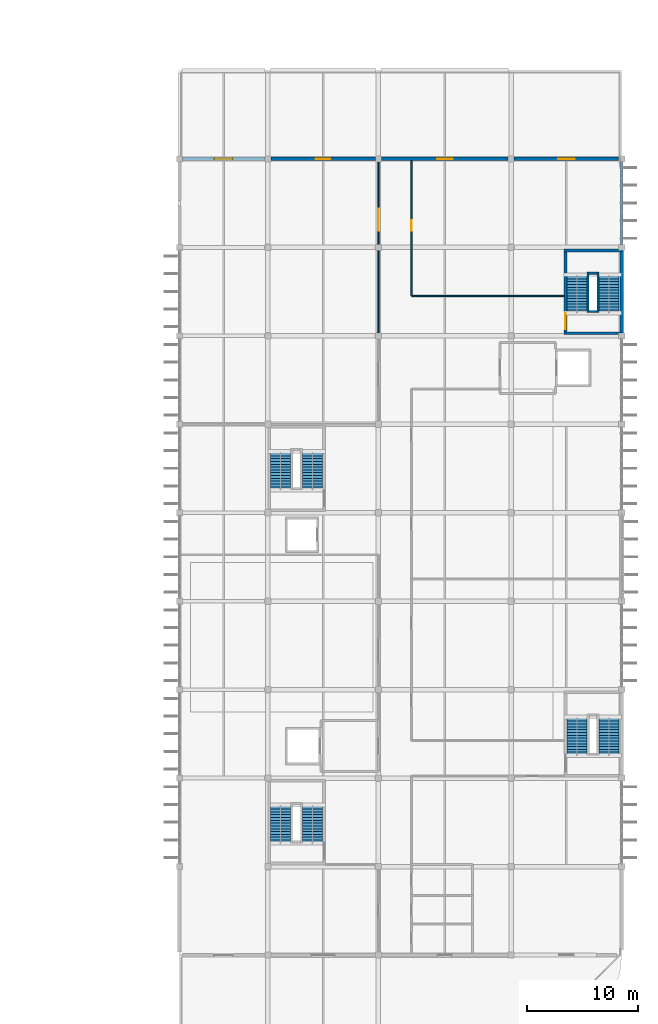
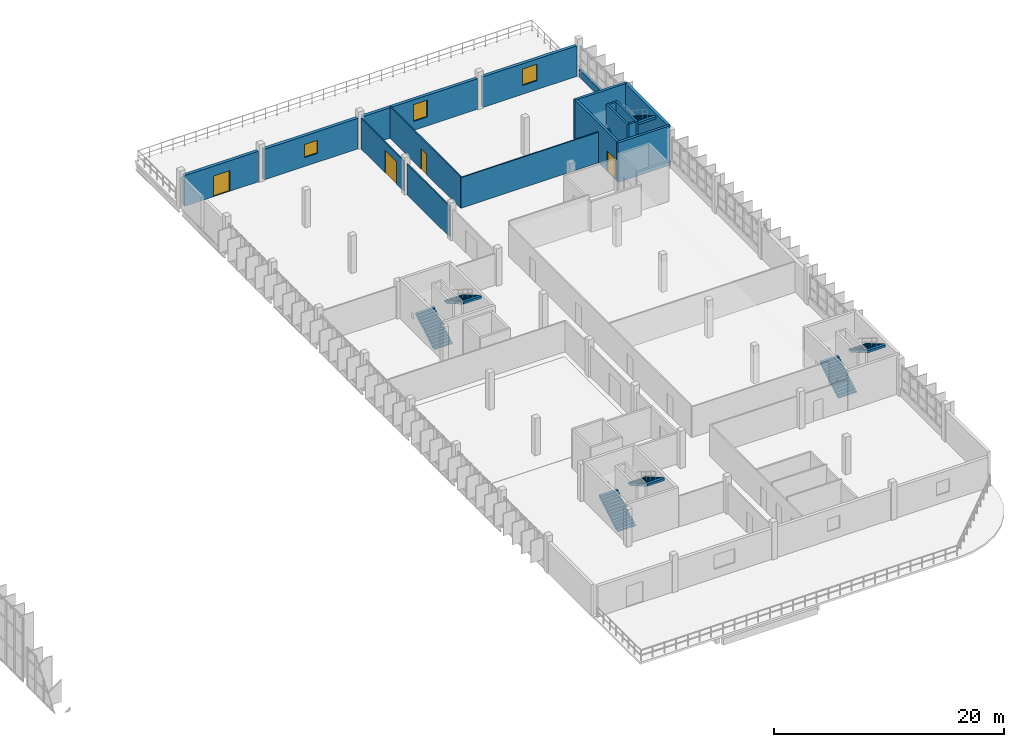
# One storey, part 29 of 38: 17 walls, 8 stair flights, 4 doors, 3 windows, 7 openings, 4 elements without a shape of their own.
"""IFC4 building model written with IfcOpenShell, lengths in metres."""

from ifc_helpers import new_model, si_unit, direction, frame, frame_2d, origin, place, context, subcontext, project, spatial, polyline, rectangle, outline, extrude, material, layer, layer_set, type_object, element, fill, aggregate, save


model = new_model("IFC4")

# Units and contexts
model_context = context("Model", 3, precision=1e-05, world=origin(), true_north=direction((0.0, 1.0)))
body_context = subcontext(model_context, "Body", "Model", "MODEL_VIEW")
ifc_project = project(units=[si_unit("LENGTHUNIT", "METRE"), si_unit("AREAUNIT", "SQUARE_METRE"), si_unit("VOLUMEUNIT", "CUBIC_METRE"), si_unit("PLANEANGLEUNIT", "RADIAN"), si_unit("MASSUNIT", "GRAM", prefix="KILO")], contexts=[model_context])

# Site, building, storey
site_placement = place(None, origin())
site = spatial("IfcSite", under=ifc_project, at=site_placement, CompositionType="ELEMENT")
building_placement = place(site_placement, origin())
building = spatial("IfcBuilding", under=site, at=building_placement, Name="Drelvana Railside Aquatics Centre", CompositionType="ELEMENT")
storey_placement = place(building_placement, frame((0.0, 0.0, 14.39990234375)))
storey = spatial("IfcBuildingStorey", under=building, at=storey_placement, Name="L03", CompositionType="ELEMENT", Elevation=14.39990234375)

# Walls
ifc_material_1 = material(Name="Concrete C40/50", Category="concrete")
ifc_layer_1 = layer(ifc_material_1, 0.25, Name="Concrete C40/50")
ifc_layer_set_1 = layer_set([ifc_layer_1], Name="Concrete C40/50")
wall_type_1 = type_object("IfcWallType", Name="WL-CORE-250", PredefinedType="SHEAR", material=ifc_layer_set_1)
for number, where, z_axis, x_axis, name in (
    (1, (178.800048828125, 72.22509765625, 0.0), (0.0, 0.0, 1.0), (1.0, 0.0, 0.0), "Core 7 Federation Wing Avenue-East S core wall (L03)"),
    (2, (178.800048828125, 79.715087890625, 0.0), (0.0, 0.0, 1.0), (1.0, 0.0, 0.0), "Core 7 Federation Wing Avenue-East N core wall (L03)"),
):
    element("IfcWall", number, at=place(storey_placement, frame(where, z_axis=z_axis, x_axis=x_axis)), inside=storey, type_object=wall_type_1, Name=name, PredefinedType="SHEAR", context=body_context, shape_type="SweptSolid", body=[
        extrude(rectangle(XDim=5.199951171875, YDim=0.25, at=frame_2d((2.60009765625, 0.0))), origin(), (0.0, 0.0, 1.0), 4.2001953125),
    ])

# Wall, opening, door
wall_1_placement = place(storey_placement, frame((178.925048828125, 72.35009765625, 0.0), z_axis=(0.0, 0.0, 1.0), x_axis=(0.0, 1.0, 0.0)))
wall_1 = element("IfcWall", 3, at=wall_1_placement, inside=storey, type_object=wall_type_1, Name="Core 7 Federation Wing Avenue-East W core wall (L03)", PredefinedType="SHEAR", context=body_context, shape_type="SweptSolid", body=[
    extrude(rectangle(XDim=7.239990234375, YDim=0.25, at=frame_2d((3.6201171875, 0.0))), origin(), (0.0, 0.0, 1.0), 4.2001953125),
])
opening_1_placement = place(wall_1_placement, frame((0.25, 0.0, 0.0)))
opening_1 = element("IfcOpeningElement", 4, at=opening_1_placement, cuts=wall_1, Name="Opening D-01-057", PredefinedType="OPENING", context=body_context, shape_type="SweptSolid", body=[
    extrude(rectangle(XDim=1.449951171875, YDim=2.199951171875, at=frame_2d((0.72509765625, 1.10009765625))), frame((0.0, 0.135009765625, 0.0), z_axis=(0.0, -1.0, 0.0), x_axis=(1.0, 0.0, 0.0)), (0.0, 0.0, 1.0), 0.27001953125),
])
ifc_material_2 = material(Name="Fire-rated steel and vision-panel door", Category="steel")
door_type_1 = type_object("IfcDoorType", Name="DR-INT-STAIR-1450x2200", OperationType="DOUBLE_DOOR_SINGLE_SWING", PredefinedType="DOOR", material=ifc_material_2)
door_1_placement = place(opening_1_placement, origin())
door_1 = element("IfcDoor", 5, at=door_1_placement, inside=storey, type_object=door_type_1, Name="Stair ST-07 lobby door D-01-057", OperationType="DOUBLE_DOOR_SINGLE_SWING", OverallHeight=2.199951171875, OverallWidth=1.449951171875, PredefinedType="DOOR", context=body_context, shape_type="SweptSolid", body=[
    extrude(rectangle(XDim=1.449951171875, YDim=2.199951171875, at=frame_2d((0.72509765625, 1.10009765625))), frame((0.0, 0.02490234375, 0.0), z_axis=(0.0, -1.0, 0.0), x_axis=(1.0, 0.0, 0.0)), (0.0, 0.0, 1.0), 0.050048828125),
])
fill(opening_1, door_1)

# Walls
ifc_layer_2 = layer(ifc_material_1, 0.300048828125, Name="Concrete C40/50")
ifc_layer_set_2 = layer_set([ifc_layer_2], Name="Concrete C40/50")
wall_type_2 = type_object("IfcWallType", Name="WL-CORE-300", PredefinedType="SHEAR", material=ifc_layer_set_2)
wall_2_placement = place(storey_placement, frame((184.0, 72.27099609375, 0.0), z_axis=(0.0, 0.0, 1.0), x_axis=(0.0, 1.0, 0.0)))
element("IfcWall", 6, at=wall_2_placement, inside=storey, type_object=wall_type_2, Name="Core east avenue shear wall 72 (L03)", PredefinedType="SHEAR", context=body_context, shape_type="SweptSolid", body=[
    extrude(rectangle(XDim=7.4580078125, YDim=0.300048828125, at=frame_2d((3.72900390625, 0.0))), origin(), (0.0, 0.0, 1.0), 4.2001953125),
])
ifc_material_3 = material(Name="Acoustic twin-stud gypsum partition", Category="gypsum")
ifc_layer_3 = layer(ifc_material_3, 0.1201171875, Name="Acoustic twin-stud gypsum partition")
ifc_layer_set_3 = layer_set([ifc_layer_3], Name="Acoustic twin-stud gypsum partition")
wall_type_3 = type_object("IfcWallType", Name="WL-DRY-120", PredefinedType="PARTITIONING", material=ifc_layer_set_3)
wall_3_placement = place(storey_placement, frame((162.0, 72.277099609375, 0.0), z_axis=(0.0, 0.0, 1.0), x_axis=(0.0, 1.0, 0.0)))
element("IfcWall", 7, at=wall_3_placement, inside=storey, type_object=wall_type_3, Name="V5 L03 west corridor wall", PredefinedType="PARTITIONING", context=body_context, shape_type="SweptSolid", body=[
    extrude(rectangle(XDim=7.44580078125, YDim=0.1201171875, at=frame_2d((3.722900390625, 0.0))), origin(), (0.0, 0.0, 1.0), 3.255126953125),
])

# Wall, opening, door
wall_4_placement = place(storey_placement, frame((162.0, 80.277099609375, 0.0), z_axis=(0.0, 0.0, 1.0), x_axis=(0.0, 1.0, 0.0)))
wall_4 = element("IfcWall", 8, at=wall_4_placement, inside=storey, type_object=wall_type_3, Name="V5 L03 west corridor wall", PredefinedType="PARTITIONING", context=body_context, shape_type="SweptSolid", body=[
    extrude(rectangle(XDim=7.44580078125, YDim=0.1201171875, at=frame_2d((3.722900390625, 0.0))), origin(), (0.0, 0.0, 1.0), 3.255126953125),
])
opening_2_placement = place(wall_4_placement, frame((1.222900390625, 0.0, 0.0)))
opening_2 = element("IfcOpeningElement", 9, at=opening_2_placement, cuts=wall_4, Name="Opening D-06-241", PredefinedType="OPENING", context=body_context, shape_type="SweptSolid", body=[
    extrude(rectangle(XDim=2.0, YDim=2.39990234375, at=frame_2d((1.0, 1.199951171875))), frame((0.0, 0.070068359375, 0.0), z_axis=(0.0, -1.0, 0.0), x_axis=(1.0, 0.0, 0.0)), (0.0, 0.0, 1.0), 0.14013671875),
])
ifc_material_4 = material(Name="Glazed bronze-aluminium concourse door", Category="aluminium")
door_type_2 = type_object("IfcDoorType", Name="DR-INT-HALL-2000x2400", OperationType="DOUBLE_DOOR_SINGLE_SWING", PredefinedType="DOOR", material=ifc_material_4)
door_2_placement = place(opening_2_placement, origin())
door_2 = element("IfcDoor", 10, at=door_2_placement, inside=storey, type_object=door_type_2, Name="Regional aquatic club north door D-06-241", OperationType="DOUBLE_DOOR_SINGLE_SWING", OverallHeight=2.39990234375, OverallWidth=2.0, PredefinedType="DOOR", context=body_context, shape_type="SweptSolid", body=[
    extrude(rectangle(XDim=2.0, YDim=2.39990234375, at=frame_2d((1.0, 1.199951171875))), frame((0.0, 0.02490234375, 0.0), z_axis=(0.0, -1.0, 0.0), x_axis=(1.0, 0.0, 0.0)), (0.0, 0.0, 1.0), 0.050048828125),
])
fill(opening_2, door_2)

wall_5_placement = place(storey_placement, frame((165.0, 75.60009765625, 0.0), z_axis=(0.0, 0.0, 1.0), x_axis=(0.0, 1.0, 0.0)))
wall_5 = element("IfcWall", 11, at=wall_5_placement, inside=storey, type_object=wall_type_3, Name="V5 L03 east corridor wall", PredefinedType="PARTITIONING", context=body_context, shape_type="SweptSolid", body=[
    extrude(rectangle(XDim=12.25, YDim=0.1201171875, at=frame_2d((6.125, 0.0))), origin(), (0.0, 0.0, 1.0), 3.35498046875),
])
opening_3_placement = place(wall_5_placement, frame((5.89990234375, 0.0, 0.0)))
opening_3 = element("IfcOpeningElement", 12, at=opening_3_placement, cuts=wall_5, Name="Opening D-10-249", PredefinedType="OPENING", context=body_context, shape_type="SweptSolid", body=[
    extrude(rectangle(XDim=0.949951171875, YDim=2.14990234375, at=frame_2d((0.47509765625, 1.074951171875))), frame((0.0, 0.070068359375, 0.0), z_axis=(0.0, -1.0, 0.0), x_axis=(1.0, 0.0, 0.0)), (0.0, 0.0, 1.0), 0.14013671875),
])
ifc_material_5 = material(Name="Timber veneer office door", Category="wood")
door_type_3 = type_object("IfcDoorType", Name="DR-INT-OFF-950x2150", OperationType="NOTDEFINED", PredefinedType="DOOR", material=ifc_material_5)
door_3_placement = place(opening_3_placement, origin())
door_3 = element("IfcDoor", 13, at=door_3_placement, inside=storey, type_object=door_type_3, Name="Video analysis lab door D-10-249", OperationType="SINGLE_SWING_LEFT", OverallHeight=2.14990234375, OverallWidth=0.949951171875, PredefinedType="DOOR", context=body_context, shape_type="SweptSolid", body=[
    extrude(rectangle(XDim=0.949951171875, YDim=2.14990234375, at=frame_2d((0.47509765625, 1.074951171875))), frame((0.0, 0.02490234375, 0.0), z_axis=(0.0, -1.0, 0.0), x_axis=(1.0, 0.0, 0.0)), (0.0, 0.0, 1.0), 0.050048828125),
])
fill(opening_3, door_3)

# Walls
wall_6_placement = place(storey_placement, frame((165.0, 75.60009765625, 0.0), z_axis=(0.0, 0.0, 1.0), x_axis=(1.0, 0.0, 0.0)))
element("IfcWall", 14, at=wall_6_placement, inside=storey, type_object=wall_type_3, Name="L03 C7 branch N wall", PredefinedType="PARTITIONING", context=body_context, shape_type="SweptSolid", body=[
    extrude(rectangle(XDim=13.800048828125, YDim=0.1201171875, at=frame_2d((6.89990234375, 0.0))), origin(), (0.0, 0.0, 1.0), 3.255126953125),
])
ifc_material_6 = material(Name="Glazed ceramic spandrel wall", Category="masonry")
ifc_layer_4 = layer(ifc_material_6, 0.27001953125, Name="Glazed ceramic spandrel wall")
ifc_layer_set_4 = layer_set([ifc_layer_4], Name="Glazed ceramic spandrel wall")
wall_type_4 = type_object("IfcWallType", Name="WL-EXT-270", PredefinedType="STANDARD", material=ifc_layer_set_4)
wall_7_placement = place(storey_placement, frame((184.0, 80.27099609375, 0.0), z_axis=(0.0, 0.0, 1.0), x_axis=(0.0, 1.0, 0.0)))
element("IfcWall", 15, at=wall_7_placement, inside=storey, type_object=wall_type_4, Name="V5 East L03 sill spandrel", PredefinedType="STANDARD", context=body_context, shape_type="SweptSolid", body=[
    extrude(rectangle(XDim=7.4580078125, YDim=0.27001953125, at=frame_2d((3.72900390625, 0.0))), origin(), (0.0, 0.0, 1.0), 0.800048828125),
])

# Wall, opening, door
ifc_material_7 = material(Name="Terracotta rainscreen masonry wall", Category="masonry")
ifc_layer_5 = layer(ifc_material_7, 0.31005859375, Name="Terracotta rainscreen masonry wall")
ifc_layer_set_5 = layer_set([ifc_layer_5], Name="Terracotta rainscreen masonry wall")
wall_type_5 = type_object("IfcWallType", Name="WL-EXT-310", PredefinedType="STANDARD", material=ifc_layer_set_5)
wall_8_placement = place(storey_placement, frame((144.27099609375, 88.0, 0.0), z_axis=(0.0, 0.0, 1.0), x_axis=(1.0, 0.0, 0.0)))
wall_8 = element("IfcWall", 16, at=wall_8_placement, inside=storey, type_object=wall_type_5, Name="V5 L03 end bay wall", PredefinedType="STANDARD", context=body_context, shape_type="SweptSolid", body=[
    extrude(rectangle(XDim=7.4580078125, YDim=0.31005859375, at=frame_2d((3.72900390625, 0.0))), origin(), (0.0, 0.0, 1.0), 3.25),
])
opening_4_placement = place(wall_8_placement, frame((2.904052734375, 0.0, 0.0)))
opening_4 = element("IfcOpeningElement", 17, at=opening_4_placement, cuts=wall_8, Name="Opening EX-06-029", PredefinedType="OPENING", context=body_context, shape_type="SweptSolid", body=[
    extrude(rectangle(XDim=1.64990234375, YDim=2.199951171875, at=frame_2d((0.824951171875, 1.10009765625))), frame((0.0, 0.1650390625, 0.0), z_axis=(0.0, -1.0, 0.0), x_axis=(1.0, 0.0, 0.0)), (0.0, 0.0, 1.0), 0.330078125),
])
ifc_material_8 = material(Name="Thermally broken bronze-anodised aluminium and glazed door", Category="aluminium")
door_type_4 = type_object("IfcDoorType", Name="DR-EXT-TER-1650x2200", OperationType="DOUBLE_DOOR_SINGLE_SWING", PredefinedType="DOOR", material=ifc_material_8)
door_4_placement = place(opening_4_placement, origin())
door_4 = element("IfcDoor", 18, at=door_4_placement, inside=storey, type_object=door_type_4, Name="L03 outdoor terrace door EX-06-029", OperationType="DOUBLE_DOOR_SINGLE_SWING", OverallHeight=2.199951171875, OverallWidth=1.64990234375, PredefinedType="DOOR", context=body_context, shape_type="SweptSolid", body=[
    extrude(rectangle(XDim=1.64990234375, YDim=2.199951171875, at=frame_2d((0.824951171875, 1.10009765625))), frame((0.0, 0.02490234375, 0.0), z_axis=(0.0, -1.0, 0.0), x_axis=(1.0, 0.0, 0.0)), (0.0, 0.0, 1.0), 0.050048828125),
])
fill(opening_4, door_4)

# Wall, opening, window
wall_9_placement = place(storey_placement, frame((152.27099609375, 88.0, 0.0), z_axis=(0.0, 0.0, 1.0), x_axis=(1.0, 0.0, 0.0)))
wall_9 = element("IfcWall", 19, at=wall_9_placement, inside=storey, type_object=wall_type_5, Name="V5 L03 end bay wall", PredefinedType="STANDARD", context=body_context, shape_type="SweptSolid", body=[
    extrude(rectangle(XDim=9.4580078125, YDim=0.31005859375, at=frame_2d((4.72900390625, 0.0))), origin(), (0.0, 0.0, 1.0), 3.25),
])
opening_5_placement = place(wall_9_placement, frame((4.0791015625, 0.0, 0.949951171875)))
opening_5 = element("IfcOpeningElement", 20, at=opening_5_placement, cuts=wall_9, Name="Opening W-13", PredefinedType="OPENING", context=body_context, shape_type="SweptSolid", body=[
    extrude(rectangle(XDim=1.300048828125, YDim=1.39990234375, at=frame_2d((0.64990234375, 0.699951171875))), frame((0.0, 0.1650390625, 0.0), z_axis=(0.0, -1.0, 0.0), x_axis=(1.0, 0.0, 0.0)), (0.0, 0.0, 1.0), 0.330078125),
])
ifc_material_9 = material(Name="Double-glazed solar-control aluminium window", Category="aluminium")
window_type_1 = type_object("IfcWindowType", Name="WIN-13", PartitioningType="SINGLE_PANEL", PredefinedType="WINDOW", material=ifc_material_9)
window_1_placement = place(opening_5_placement, origin())
window_1 = element("IfcWindow", 21, at=window_1_placement, inside=storey, type_object=window_type_1, Name="V5 L03 end window WIN-13", OverallHeight=1.39990234375, OverallWidth=1.300048828125, PartitioningType="SINGLE_PANEL", PredefinedType="WINDOW", context=body_context, shape_type="SweptSolid", body=[
    extrude(rectangle(XDim=1.300048828125, YDim=1.39990234375, at=frame_2d((0.64990234375, 0.699951171875))), frame((0.0, 0.030029296875, 0.0), z_axis=(0.0, -1.0, 0.0), x_axis=(1.0, 0.0, 0.0)), (0.0, 0.0, 1.0), 0.06005859375),
])
fill(opening_5, window_1)

wall_10_placement = place(storey_placement, frame((162.27099609375, 88.0, 0.0), z_axis=(0.0, 0.0, 1.0), x_axis=(1.0, 0.0, 0.0)))
wall_10 = element("IfcWall", 22, at=wall_10_placement, inside=storey, type_object=wall_type_5, Name="V5 L03 end bay wall", PredefinedType="STANDARD", context=body_context, shape_type="SweptSolid", body=[
    extrude(rectangle(XDim=11.4580078125, YDim=0.31005859375, at=frame_2d((5.72900390625, 0.0))), origin(), (0.0, 0.0, 1.0), 3.25),
])
opening_6_placement = place(wall_10_placement, frame((5.029052734375, 0.0, 0.949951171875)))
opening_6 = element("IfcOpeningElement", 23, at=opening_6_placement, cuts=wall_10, Name="Opening W-15", PredefinedType="OPENING", context=body_context, shape_type="SweptSolid", body=[
    extrude(rectangle(XDim=1.39990234375, YDim=1.800048828125, at=frame_2d((0.699951171875, 0.89990234375))), frame((0.0, 0.1650390625, 0.0), z_axis=(0.0, -1.0, 0.0), x_axis=(1.0, 0.0, 0.0)), (0.0, 0.0, 1.0), 0.330078125),
])
window_type_2 = type_object("IfcWindowType", Name="WIN-15", PartitioningType="SINGLE_PANEL", PredefinedType="WINDOW", material=ifc_material_9)
window_2_placement = place(opening_6_placement, origin())
window_2 = element("IfcWindow", 24, at=window_2_placement, inside=storey, type_object=window_type_2, Name="V5 L03 end window WIN-15", OverallHeight=1.800048828125, OverallWidth=1.39990234375, PartitioningType="SINGLE_PANEL", PredefinedType="WINDOW", context=body_context, shape_type="SweptSolid", body=[
    extrude(rectangle(XDim=1.39990234375, YDim=1.800048828125, at=frame_2d((0.699951171875, 0.89990234375))), frame((0.0, 0.030029296875, 0.0), z_axis=(0.0, -1.0, 0.0), x_axis=(1.0, 0.0, 0.0)), (0.0, 0.0, 1.0), 0.06005859375),
])
fill(opening_6, window_2)

wall_11_placement = place(storey_placement, frame((174.27099609375, 88.0, 0.0), z_axis=(0.0, 0.0, 1.0), x_axis=(1.0, 0.0, 0.0)))
wall_11 = element("IfcWall", 25, at=wall_11_placement, inside=storey, type_object=wall_type_5, Name="V5 L03 end bay wall", PredefinedType="STANDARD", context=body_context, shape_type="SweptSolid", body=[
    extrude(rectangle(XDim=9.4580078125, YDim=0.31005859375, at=frame_2d((4.72900390625, 0.0))), origin(), (0.0, 0.0, 1.0), 3.25),
])
opening_7_placement = place(wall_11_placement, frame((3.97900390625, 0.0, 0.949951171875)))
opening_7 = element("IfcOpeningElement", 26, at=opening_7_placement, cuts=wall_11, Name="Opening W-17", PredefinedType="OPENING", context=body_context, shape_type="SweptSolid", body=[
    extrude(rectangle(XDim=1.5, YDim=1.75, at=frame_2d((0.75, 0.875))), frame((0.0, 0.1650390625, 0.0), z_axis=(0.0, -1.0, 0.0), x_axis=(1.0, 0.0, 0.0)), (0.0, 0.0, 1.0), 0.330078125),
])
window_type_3 = type_object("IfcWindowType", Name="WIN-17", PartitioningType="SINGLE_PANEL", PredefinedType="WINDOW", material=ifc_material_9)
window_3_placement = place(opening_7_placement, origin())
window_3 = element("IfcWindow", 27, at=window_3_placement, inside=storey, type_object=window_type_3, Name="V5 L03 end window WIN-17", OverallHeight=1.75, OverallWidth=1.5, PartitioningType="SINGLE_PANEL", PredefinedType="WINDOW", context=body_context, shape_type="SweptSolid", body=[
    extrude(rectangle(XDim=1.5, YDim=1.75, at=frame_2d((0.75, 0.875))), frame((0.0, 0.030029296875, 0.0), z_axis=(0.0, -1.0, 0.0), x_axis=(1.0, 0.0, 0.0)), (0.0, 0.0, 1.0), 0.06005859375),
])
fill(opening_7, window_3)

# Walls
ifc_layer_6 = layer(ifc_material_1, 0.199951171875, Name="Concrete C40/50")
ifc_layer_set_6 = layer_set([ifc_layer_6], Name="Concrete C40/50")
wall_type_6 = type_object("IfcWallType", Name="WL-SHFT-200", PredefinedType="SHEAR", material=ifc_layer_set_6)
for number, where, z_axis, x_axis, name in (
    (28, (180.949951171875, 74.090087890625, 0.0), (0.0, 0.0, 1.0), (0.0, 1.0, 0.0), "Stair ST-07 central spine wall A (L03)"),
    (29, (181.85009765625, 74.090087890625, 0.0), (0.0, 0.0, 1.0), (0.0, 1.0, 0.0), "Stair ST-07 central spine wall B (L03)"),
):
    element("IfcWall", number, at=place(storey_placement, frame(where, z_axis=z_axis, x_axis=x_axis)), inside=storey, type_object=wall_type_6, Name=name, PredefinedType="SHEAR", context=body_context, shape_type="SweptSolid", body=[
        extrude(rectangle(XDim=3.659912109375, YDim=0.199951171875, at=frame_2d((1.830078125, 0.0))), origin(), (0.0, 0.0, 1.0), 4.2001953125),
    ])
for number, where, z_axis, x_axis, name in (
    (30, (181.050048828125, 74.18994140625, 0.0), (0.0, 0.0, 1.0), (1.0, 0.0, 0.0), "Stair ST-07 central spine wall S (L03)"),
    (31, (181.050048828125, 77.64990234375, 0.0), (0.0, 0.0, 1.0), (1.0, 0.0, 0.0), "Stair ST-07 central spine wall N (L03)"),
):
    element("IfcWall", number, at=place(storey_placement, frame(where, z_axis=z_axis, x_axis=x_axis)), inside=storey, type_object=wall_type_6, Name=name, PredefinedType="SHEAR", context=body_context, shape_type="SweptSolid", body=[
        extrude(rectangle(XDim=0.699951171875, YDim=0.199951171875, at=frame_2d((0.35009765625, 0.0))), origin(), (0.0, 0.0, 1.0), 4.2001953125),
    ])

# Stair, stair flights
stair_type_1 = type_object("IfcStairType", Name="ST-CORE-W160", PredefinedType="HALF_TURN_STAIR", material=ifc_material_1)
stair_1_placement = place(storey_placement, origin())
stair_1 = element("IfcStair", 32, at=stair_1_placement, inside=storey, type_object=stair_type_1, Name="Exit stair ST-06 (L03 to L04)", PredefinedType="HALF_TURN_STAIR")
stair_flight_type_1 = type_object("IfcStairFlightType", Name="ST-CORE-W160-FL", PredefinedType="STRAIGHT", material=ifc_material_1)
stair_flight_1_placement = place(storey_placement, frame((153.14990234375, 26.14990234375, 0.0), z_axis=(0.0, 0.0, 1.0), x_axis=(0.0, 1.0, 0.0)))
stair_flight_1 = element("IfcStairFlight", 33, at=stair_flight_1_placement, type_object=stair_flight_type_1, Name="ST-NR flight 1", NumberOfRisers=14, NumberOfTreads=13, PredefinedType="STRAIGHT", RiserHeight=0.15, TreadLength=0.255, context=body_context, shape_type="SweptSolid", body=[
    extrude(outline(polyline([(0.0, 0.0), (0.0, 0.14990234375), (0.2548828125, 0.14990234375), (0.2548828125, 0.300048828125), (0.510009765625, 0.300048828125), (0.510009765625, 0.449951171875), (0.764892578125, 0.449951171875), (0.764892578125, 0.60009765625), (1.02001953125, 0.60009765625), (1.02001953125, 0.75), (1.27490234375, 0.75), (1.27490234375, 0.89990234375), (1.530029296875, 0.89990234375), (1.530029296875, 1.050048828125), (1.784912109375, 1.050048828125), (1.784912109375, 1.199951171875), (2.0400390625, 1.199951171875), (2.0400390625, 1.35009765625), (2.294921875, 1.35009765625), (2.294921875, 1.5), (2.550048828125, 1.5), (2.550048828125, 1.64990234375), (2.804931640625, 1.64990234375), (2.804931640625, 1.800048828125), (3.06005859375, 1.800048828125), (3.06005859375, 1.949951171875), (3.31494140625, 1.949951171875), (3.31494140625, 2.10009765625), (3.31494140625, 1.718017578125), (0.394287109375, 0.0), (0.0, 0.0)])), frame((0.0, 0.89990234375, 0.0), z_axis=(0.0, -1.0, 0.0), x_axis=(1.0, 0.0, 0.0)), (0.0, 0.0, 1.0), 1.800048828125),
])
stair_flight_2_placement = place(storey_placement, frame((156.050048828125, 29.465087890625, 2.10009765625), z_axis=(0.0, 0.0, 1.0), x_axis=(0.0, -1.0, 0.0)))
stair_flight_2 = element("IfcStairFlight", 34, at=stair_flight_2_placement, type_object=stair_flight_type_1, Name="ST-NR flight 2", NumberOfRisers=14, NumberOfTreads=13, PredefinedType="STRAIGHT", RiserHeight=0.15, TreadLength=0.255, context=body_context, shape_type="SweptSolid", body=[
    extrude(outline(polyline([(0.0, 0.0), (0.0, 0.14990234375), (0.2548828125, 0.14990234375), (0.2548828125, 0.300048828125), (0.510009765625, 0.300048828125), (0.510009765625, 0.449951171875), (0.764892578125, 0.449951171875), (0.764892578125, 0.60009765625), (1.02001953125, 0.60009765625), (1.02001953125, 0.75), (1.27490234375, 0.75), (1.27490234375, 0.89990234375), (1.530029296875, 0.89990234375), (1.530029296875, 1.050048828125), (1.784912109375, 1.050048828125), (1.784912109375, 1.199951171875), (2.0400390625, 1.199951171875), (2.0400390625, 1.35009765625), (2.294921875, 1.35009765625), (2.294921875, 1.5), (2.550048828125, 1.5), (2.550048828125, 1.64990234375), (2.804931640625, 1.64990234375), (2.804931640625, 1.800048828125), (3.06005859375, 1.800048828125), (3.06005859375, 1.949951171875), (3.31494140625, 1.949951171875), (3.31494140625, 2.10009765625), (3.31494140625, 1.718017578125), (0.394287109375, 0.0), (0.0, 0.0)])), frame((0.0, 0.89990234375, 0.0), z_axis=(0.0, -1.0, 0.0), x_axis=(1.0, 0.0, 0.0)), (0.0, 0.0, 1.0), 1.800048828125),
])
aggregate(stair_1, [stair_flight_1, stair_flight_2])

stair_2_placement = place(storey_placement, origin())
stair_2 = element("IfcStair", 35, at=stair_2_placement, inside=storey, type_object=stair_type_1, Name="Exit stair ST-07 (L03 to L04)", PredefinedType="HALF_TURN_STAIR")
stair_flight_3_placement = place(storey_placement, frame((179.949951171875, 74.090087890625, 0.0), z_axis=(0.0, 0.0, 1.0), x_axis=(0.0, 1.0, 0.0)))
stair_flight_3 = element("IfcStairFlight", 36, at=stair_flight_3_placement, type_object=stair_flight_type_1, Name="ST-NR flight 1", NumberOfRisers=14, NumberOfTreads=13, PredefinedType="STRAIGHT", RiserHeight=0.15, TreadLength=0.255, context=body_context, shape_type="SweptSolid", body=[
    extrude(outline(polyline([(0.0, 0.0), (0.0, 0.14990234375), (0.2548828125, 0.14990234375), (0.2548828125, 0.300048828125), (0.510009765625, 0.300048828125), (0.510009765625, 0.449951171875), (0.764892578125, 0.449951171875), (0.764892578125, 0.60009765625), (1.02001953125, 0.60009765625), (1.02001953125, 0.75), (1.27490234375, 0.75), (1.27490234375, 0.89990234375), (1.530029296875, 0.89990234375), (1.530029296875, 1.050048828125), (1.784912109375, 1.050048828125), (1.784912109375, 1.199951171875), (2.0400390625, 1.199951171875), (2.0400390625, 1.35009765625), (2.294921875, 1.35009765625), (2.294921875, 1.5), (2.550048828125, 1.5), (2.550048828125, 1.64990234375), (2.804931640625, 1.64990234375), (2.804931640625, 1.800048828125), (3.06005859375, 1.800048828125), (3.06005859375, 1.949951171875), (3.31494140625, 1.949951171875), (3.31494140625, 2.10009765625), (3.31494140625, 1.718017578125), (0.394287109375, 0.0), (0.0, 0.0)])), frame((0.0, 0.89990234375, 0.0), z_axis=(0.0, -1.0, 0.0), x_axis=(1.0, 0.0, 0.0)), (0.0, 0.0, 1.0), 1.800048828125),
])
stair_flight_4_placement = place(storey_placement, frame((182.85009765625, 77.405029296875, 2.10009765625), z_axis=(0.0, 0.0, 1.0), x_axis=(0.0, -1.0, 0.0)))
stair_flight_4 = element("IfcStairFlight", 37, at=stair_flight_4_placement, type_object=stair_flight_type_1, Name="ST-NR flight 2", NumberOfRisers=14, NumberOfTreads=13, PredefinedType="STRAIGHT", RiserHeight=0.15, TreadLength=0.255, context=body_context, shape_type="SweptSolid", body=[
    extrude(outline(polyline([(0.0, 0.0), (0.0, 0.14990234375), (0.2548828125, 0.14990234375), (0.2548828125, 0.300048828125), (0.510009765625, 0.300048828125), (0.510009765625, 0.449951171875), (0.764892578125, 0.449951171875), (0.764892578125, 0.60009765625), (1.02001953125, 0.60009765625), (1.02001953125, 0.75), (1.27490234375, 0.75), (1.27490234375, 0.89990234375), (1.530029296875, 0.89990234375), (1.530029296875, 1.050048828125), (1.784912109375, 1.050048828125), (1.784912109375, 1.199951171875), (2.0400390625, 1.199951171875), (2.0400390625, 1.35009765625), (2.294921875, 1.35009765625), (2.294921875, 1.5), (2.550048828125, 1.5), (2.550048828125, 1.64990234375), (2.804931640625, 1.64990234375), (2.804931640625, 1.800048828125), (3.06005859375, 1.800048828125), (3.06005859375, 1.949951171875), (3.31494140625, 1.949951171875), (3.31494140625, 2.10009765625), (3.31494140625, 1.718017578125), (0.394287109375, 0.0), (0.0, 0.0)])), frame((0.0, 0.89990234375, 0.0), z_axis=(0.0, -1.0, 0.0), x_axis=(1.0, 0.0, 0.0)), (0.0, 0.0, 1.0), 1.800048828125),
])
aggregate(stair_2, [stair_flight_3, stair_flight_4])

stair_type_2 = type_object("IfcStairType", Name="ST-CORE-W170", PredefinedType="HALF_TURN_STAIR", material=ifc_material_1)
stair_3_placement = place(storey_placement, origin())
stair_3 = element("IfcStair", 38, at=stair_3_placement, inside=storey, type_object=stair_type_2, Name="Exit stair ST-08 (L03 to L04)", PredefinedType="HALF_TURN_STAIR")
stair_flight_type_2 = type_object("IfcStairFlightType", Name="ST-CORE-W170-FL", PredefinedType="STRAIGHT", material=ifc_material_1)
stair_flight_5_placement = place(storey_placement, frame((153.159912109375, 58.090087890625, 0.0), z_axis=(0.0, 0.0, 1.0), x_axis=(0.0, 1.0, 0.0)))
stair_flight_5 = element("IfcStairFlight", 39, at=stair_flight_5_placement, type_object=stair_flight_type_2, Name="ST-WD flight 1", NumberOfRisers=14, NumberOfTreads=13, PredefinedType="STRAIGHT", RiserHeight=0.15, TreadLength=0.255, context=body_context, shape_type="SweptSolid", body=[
    extrude(outline(polyline([(0.0, 0.0), (0.0, 0.14990234375), (0.2548828125, 0.14990234375), (0.2548828125, 0.300048828125), (0.510009765625, 0.300048828125), (0.510009765625, 0.449951171875), (0.764892578125, 0.449951171875), (0.764892578125, 0.60009765625), (1.02001953125, 0.60009765625), (1.02001953125, 0.75), (1.27490234375, 0.75), (1.27490234375, 0.89990234375), (1.530029296875, 0.89990234375), (1.530029296875, 1.050048828125), (1.784912109375, 1.050048828125), (1.784912109375, 1.199951171875), (2.0400390625, 1.199951171875), (2.0400390625, 1.35009765625), (2.294921875, 1.35009765625), (2.294921875, 1.5), (2.550048828125, 1.5), (2.550048828125, 1.64990234375), (2.804931640625, 1.64990234375), (2.804931640625, 1.800048828125), (3.06005859375, 1.800048828125), (3.06005859375, 1.949951171875), (3.31494140625, 1.949951171875), (3.31494140625, 2.10009765625), (3.31494140625, 1.718017578125), (0.394287109375, 0.0), (0.0, 0.0)])), frame((0.0, 0.91015625, 0.0), z_axis=(0.0, -1.0, 0.0), x_axis=(1.0, 0.0, 0.0)), (0.0, 0.0, 1.0), 1.820068359375),
])
stair_flight_6_placement = place(storey_placement, frame((156.0400390625, 61.405029296875, 2.10009765625), z_axis=(0.0, 0.0, 1.0), x_axis=(0.0, -1.0, 0.0)))
stair_flight_6 = element("IfcStairFlight", 40, at=stair_flight_6_placement, type_object=stair_flight_type_2, Name="ST-WD flight 2", NumberOfRisers=14, NumberOfTreads=13, PredefinedType="STRAIGHT", RiserHeight=0.15, TreadLength=0.255, context=body_context, shape_type="SweptSolid", body=[
    extrude(outline(polyline([(0.0, 0.0), (0.0, 0.14990234375), (0.2548828125, 0.14990234375), (0.2548828125, 0.300048828125), (0.510009765625, 0.300048828125), (0.510009765625, 0.449951171875), (0.764892578125, 0.449951171875), (0.764892578125, 0.60009765625), (1.02001953125, 0.60009765625), (1.02001953125, 0.75), (1.27490234375, 0.75), (1.27490234375, 0.89990234375), (1.530029296875, 0.89990234375), (1.530029296875, 1.050048828125), (1.784912109375, 1.050048828125), (1.784912109375, 1.199951171875), (2.0400390625, 1.199951171875), (2.0400390625, 1.35009765625), (2.294921875, 1.35009765625), (2.294921875, 1.5), (2.550048828125, 1.5), (2.550048828125, 1.64990234375), (2.804931640625, 1.64990234375), (2.804931640625, 1.800048828125), (3.06005859375, 1.800048828125), (3.06005859375, 1.949951171875), (3.31494140625, 1.949951171875), (3.31494140625, 2.10009765625), (3.31494140625, 1.718017578125), (0.394287109375, 0.0), (0.0, 0.0)])), frame((0.0, 0.91015625, 0.0), z_axis=(0.0, -1.0, 0.0), x_axis=(1.0, 0.0, 0.0)), (0.0, 0.0, 1.0), 1.820068359375),
])
aggregate(stair_3, [stair_flight_5, stair_flight_6])

stair_4_placement = place(storey_placement, origin())
stair_4 = element("IfcStair", 41, at=stair_4_placement, inside=storey, type_object=stair_type_2, Name="Exit stair ST-09 (L03 to L04)", PredefinedType="HALF_TURN_STAIR")
stair_flight_7_placement = place(storey_placement, frame((179.9599609375, 34.090087890625, 0.0), z_axis=(0.0, 0.0, 1.0), x_axis=(0.0, 1.0, 0.0)))
stair_flight_7 = element("IfcStairFlight", 42, at=stair_flight_7_placement, type_object=stair_flight_type_2, Name="ST-WD flight 1", NumberOfRisers=14, NumberOfTreads=13, PredefinedType="STRAIGHT", RiserHeight=0.15, TreadLength=0.255, context=body_context, shape_type="SweptSolid", body=[
    extrude(outline(polyline([(0.0, 0.0), (0.0, 0.14990234375), (0.2548828125, 0.14990234375), (0.2548828125, 0.300048828125), (0.510009765625, 0.300048828125), (0.510009765625, 0.449951171875), (0.764892578125, 0.449951171875), (0.764892578125, 0.60009765625), (1.02001953125, 0.60009765625), (1.02001953125, 0.75), (1.27490234375, 0.75), (1.27490234375, 0.89990234375), (1.530029296875, 0.89990234375), (1.530029296875, 1.050048828125), (1.784912109375, 1.050048828125), (1.784912109375, 1.199951171875), (2.0400390625, 1.199951171875), (2.0400390625, 1.35009765625), (2.294921875, 1.35009765625), (2.294921875, 1.5), (2.550048828125, 1.5), (2.550048828125, 1.64990234375), (2.804931640625, 1.64990234375), (2.804931640625, 1.800048828125), (3.06005859375, 1.800048828125), (3.06005859375, 1.949951171875), (3.31494140625, 1.949951171875), (3.31494140625, 2.10009765625), (3.31494140625, 1.718017578125), (0.394287109375, 0.0), (0.0, 0.0)])), frame((0.0, 0.91015625, 0.0), z_axis=(0.0, -1.0, 0.0), x_axis=(1.0, 0.0, 0.0)), (0.0, 0.0, 1.0), 1.820068359375),
])
stair_flight_8_placement = place(storey_placement, frame((182.840087890625, 37.405029296875, 2.10009765625), z_axis=(0.0, 0.0, 1.0), x_axis=(0.0, -1.0, 0.0)))
stair_flight_8 = element("IfcStairFlight", 43, at=stair_flight_8_placement, type_object=stair_flight_type_2, Name="ST-WD flight 2", NumberOfRisers=14, NumberOfTreads=13, PredefinedType="STRAIGHT", RiserHeight=0.15, TreadLength=0.255, context=body_context, shape_type="SweptSolid", body=[
    extrude(outline(polyline([(0.0, 0.0), (0.0, 0.14990234375), (0.2548828125, 0.14990234375), (0.2548828125, 0.300048828125), (0.510009765625, 0.300048828125), (0.510009765625, 0.449951171875), (0.764892578125, 0.449951171875), (0.764892578125, 0.60009765625), (1.02001953125, 0.60009765625), (1.02001953125, 0.75), (1.27490234375, 0.75), (1.27490234375, 0.89990234375), (1.530029296875, 0.89990234375), (1.530029296875, 1.050048828125), (1.784912109375, 1.050048828125), (1.784912109375, 1.199951171875), (2.0400390625, 1.199951171875), (2.0400390625, 1.35009765625), (2.294921875, 1.35009765625), (2.294921875, 1.5), (2.550048828125, 1.5), (2.550048828125, 1.64990234375), (2.804931640625, 1.64990234375), (2.804931640625, 1.800048828125), (3.06005859375, 1.800048828125), (3.06005859375, 1.949951171875), (3.31494140625, 1.949951171875), (3.31494140625, 2.10009765625), (3.31494140625, 1.718017578125), (0.394287109375, 0.0), (0.0, 0.0)])), frame((0.0, 0.91015625, 0.0), z_axis=(0.0, -1.0, 0.0), x_axis=(1.0, 0.0, 0.0)), (0.0, 0.0, 1.0), 1.820068359375),
])
aggregate(stair_4, [stair_flight_7, stair_flight_8])

save(model, "model.ifc")
